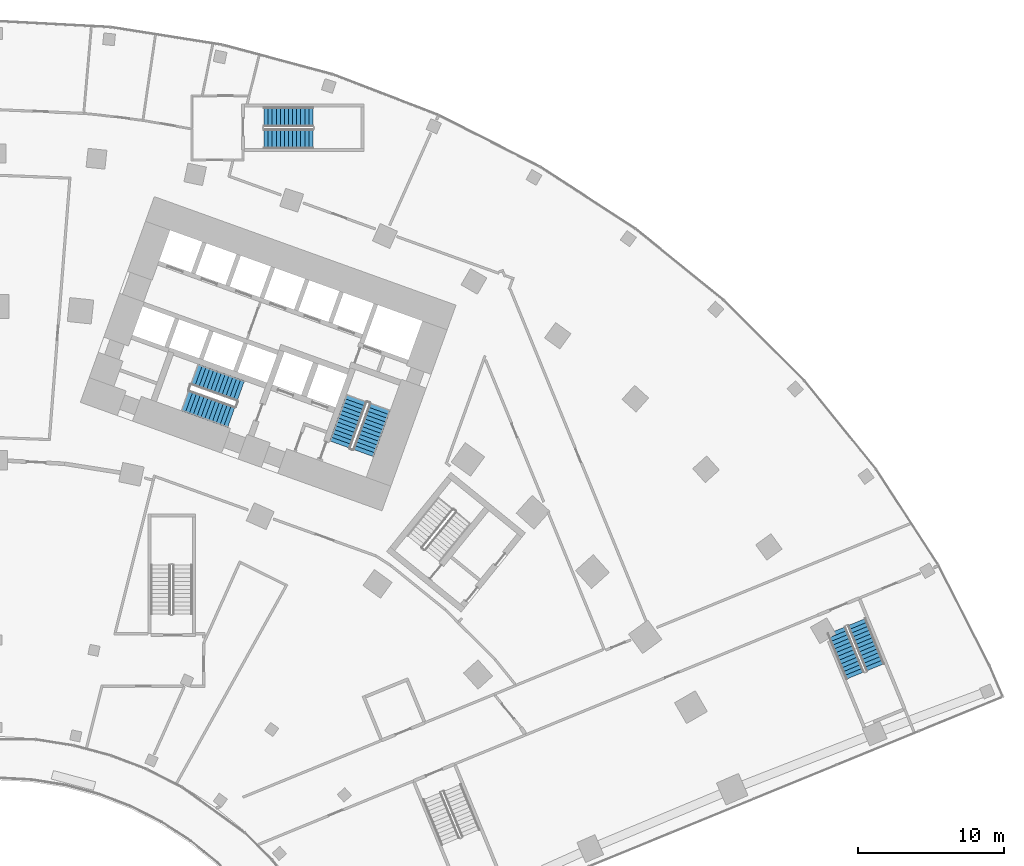
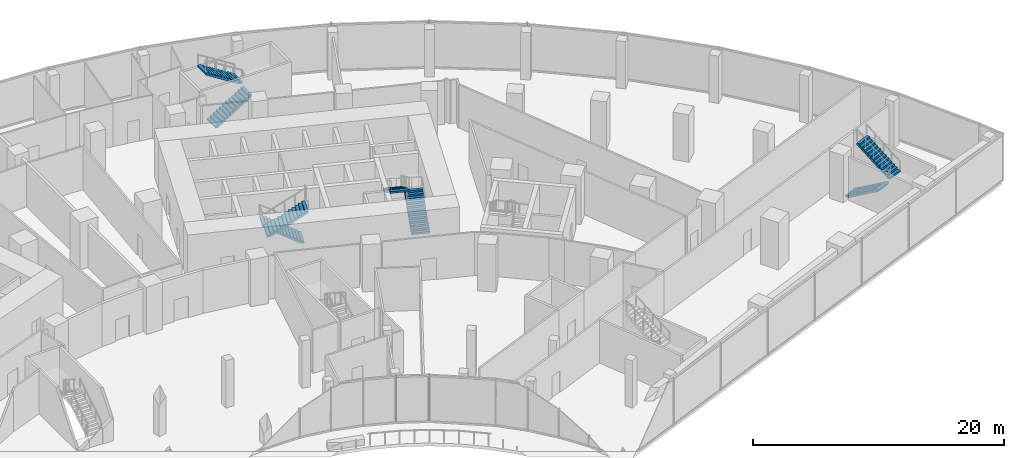
# One storey, part 31 of 39: 8 stair flights, 4 elements without a shape of their own.
"""IFC4 building model written with IfcOpenShell, lengths in metres."""

from ifc_helpers import new_model, si_unit, direction, frame, origin, place, context, subcontext, project, spatial, polyline, outline, extrude, material, layer, layer_set, type_object, element, aggregate, save


model = new_model("IFC4")

# Units and contexts
model_context = context("Model", 3, precision=1e-05, world=origin(), true_north=direction((0.0, 1.0)))
body_context = subcontext(model_context, "Body", "Model", "MODEL_VIEW")
ifc_project = project(units=[si_unit("LENGTHUNIT", "METRE"), si_unit("AREAUNIT", "SQUARE_METRE"), si_unit("VOLUMEUNIT", "CUBIC_METRE"), si_unit("PLANEANGLEUNIT", "RADIAN"), si_unit("MASSUNIT", "GRAM", prefix="KILO")], contexts=[model_context])

# Site, building, storey
site_placement = place(None, origin())
site = spatial("IfcSite", under=ifc_project, at=site_placement, CompositionType="ELEMENT")
building_placement = place(site_placement, origin())
building = spatial("IfcBuilding", under=site, at=building_placement, Name="Stone Belt Terrace Tower", CompositionType="ELEMENT")
storey_placement = place(building_placement, frame((0.0, 0.0, 16.199951171875)))
storey = spatial("IfcBuildingStorey", under=building, at=storey_placement, Name="L03", CompositionType="ELEMENT", Elevation=16.199951171875)

# Stair, stair flights
ifc_material_1 = material(Name="Concrete B30", Category="concrete")
stair_type_1 = type_object("IfcStairType", Name="Podium stair concrete B30", PredefinedType="HALF_TURN_STAIR", material=ifc_material_1)
stair_1_placement = place(storey_placement, origin())
stair_1 = element("IfcStair", 1, at=stair_1_placement, inside=storey, type_object=stair_type_1, Name="L03 podium exit stair 4", PredefinedType="HALF_TURN_STAIR")
ifc_layer = layer(ifc_material_1, 0.14990234375)
ifc_layer_set = layer_set([ifc_layer], Name="Podium stair flight concrete B30")
stair_flight_type_1 = type_object("IfcStairFlightType", Name="Podium stair flight concrete B30", PredefinedType="STRAIGHT", material=ifc_layer_set)
stair_flight_1_placement = place(storey_placement, frame((57.6259765625, 32.7724609375, 0.0), z_axis=(0.0, 0.0, 1.0), x_axis=(0.37924309334, -0.925297074541, 0.0)))
stair_flight_1 = element("IfcStairFlight", 2, at=stair_flight_1_placement, type_object=stair_flight_type_1, Name="PS4 flight 1", NumberOfRisers=13, NumberOfTreads=12, PredefinedType="STRAIGHT", RiserHeight=0.176923077, TreadLength=0.28, context=body_context, shape_type="SweptSolid", body=[
    extrude(outline(polyline([(0.0, 0.0), (0.0, 0.177001953125), (0.280029296875, 0.177001953125), (0.280029296875, 0.353759765625), (0.56005859375, 0.353759765625), (0.56005859375, 0.53076171875), (0.840087890625, 0.53076171875), (0.840087890625, 0.707763671875), (1.1201171875, 0.707763671875), (1.1201171875, 0.884521484375), (1.39990234375, 0.884521484375), (1.39990234375, 1.0615234375), (1.679931640625, 1.0615234375), (1.679931640625, 1.238525390625), (1.9599609375, 1.238525390625), (1.9599609375, 1.415283203125), (2.239990234375, 1.415283203125), (2.239990234375, 1.59228515625), (2.52001953125, 1.59228515625), (2.52001953125, 1.769287109375), (2.800048828125, 1.769287109375), (2.800048828125, 1.946044921875), (3.080078125, 1.946044921875), (3.080078125, 2.123046875), (3.360107421875, 2.123046875), (3.360107421875, 2.300048828125), (3.360107421875, 1.94580078125), (0.280517578125, 0.0), (0.0, 0.0)])), frame((0.0, 0.675048828125, 0.0), z_axis=(0.0, -1.0, 0.0), x_axis=(1.0, 0.0, 0.0)), (0.0, 0.0, 1.0), 1.35009765625),
])
stair_flight_2_placement = place(storey_placement, frame((60.288330078125, 30.232421875, 2.300048828125), z_axis=(0.0, 0.0, 1.0), x_axis=(-0.37924309334, 0.925297074541, 0.0)))
stair_flight_2 = element("IfcStairFlight", 3, at=stair_flight_2_placement, type_object=stair_flight_type_1, Name="PS4 flight 2", NumberOfRisers=13, NumberOfTreads=12, PredefinedType="STRAIGHT", RiserHeight=0.176923077, TreadLength=0.28, context=body_context, shape_type="SweptSolid", body=[
    extrude(outline(polyline([(0.0, 0.0), (0.0, 0.177001953125), (0.280029296875, 0.177001953125), (0.280029296875, 0.353759765625), (0.56005859375, 0.353759765625), (0.56005859375, 0.53076171875), (0.840087890625, 0.53076171875), (0.840087890625, 0.707763671875), (1.1201171875, 0.707763671875), (1.1201171875, 0.884521484375), (1.39990234375, 0.884521484375), (1.39990234375, 1.0615234375), (1.679931640625, 1.0615234375), (1.679931640625, 1.238525390625), (1.9599609375, 1.238525390625), (1.9599609375, 1.415283203125), (2.239990234375, 1.415283203125), (2.239990234375, 1.59228515625), (2.52001953125, 1.59228515625), (2.52001953125, 1.769287109375), (2.800048828125, 1.769287109375), (2.800048828125, 1.946044921875), (3.080078125, 1.946044921875), (3.080078125, 2.123046875), (3.360107421875, 2.123046875), (3.360107421875, 2.300048828125), (3.360107421875, 1.94580078125), (0.280517578125, 0.0), (0.0, 0.0)])), frame((0.0, 0.675048828125, 0.0), z_axis=(0.0, -1.0, 0.0), x_axis=(1.0, 0.0, 0.0)), (0.0, 0.0, 1.0), 1.35009765625),
])
aggregate(stair_1, [stair_flight_1, stair_flight_2])

stair_2_placement = place(storey_placement, origin())
stair_2 = element("IfcStair", 4, at=stair_2_placement, inside=storey, type_object=stair_type_1, Name="L03 podium exit stair 8", PredefinedType="HALF_TURN_STAIR")
stair_flight_3_placement = place(storey_placement, frame((18.340087890625, 66.5, 0.0), z_axis=(0.0, 0.0, 1.0), x_axis=(1.0, 0.0, 0.0)))
stair_flight_3 = element("IfcStairFlight", 5, at=stair_flight_3_placement, type_object=stair_flight_type_1, Name="PS8 flight 1", NumberOfRisers=13, NumberOfTreads=12, PredefinedType="STRAIGHT", RiserHeight=0.176923077, TreadLength=0.28, context=body_context, shape_type="SweptSolid", body=[
    extrude(outline(polyline([(0.0, 0.0), (0.0, 0.177001953125), (0.280029296875, 0.177001953125), (0.280029296875, 0.353759765625), (0.56005859375, 0.353759765625), (0.56005859375, 0.53076171875), (0.840087890625, 0.53076171875), (0.840087890625, 0.707763671875), (1.1201171875, 0.707763671875), (1.1201171875, 0.884521484375), (1.39990234375, 0.884521484375), (1.39990234375, 1.0615234375), (1.679931640625, 1.0615234375), (1.679931640625, 1.238525390625), (1.9599609375, 1.238525390625), (1.9599609375, 1.415283203125), (2.239990234375, 1.415283203125), (2.239990234375, 1.59228515625), (2.52001953125, 1.59228515625), (2.52001953125, 1.769287109375), (2.800048828125, 1.769287109375), (2.800048828125, 1.946044921875), (3.080078125, 1.946044921875), (3.080078125, 2.123046875), (3.360107421875, 2.123046875), (3.360107421875, 2.300048828125), (3.360107421875, 1.94580078125), (0.280517578125, 0.0), (0.0, 0.0)])), frame((0.0, 0.675048828125, 0.0), z_axis=(0.0, -1.0, 0.0), x_axis=(1.0, 0.0, 0.0)), (0.0, 0.0, 1.0), 1.35009765625),
])
stair_flight_4_placement = place(storey_placement, frame((21.699951171875, 68.0, 2.300048828125), z_axis=(0.0, 0.0, 1.0), x_axis=(-1.0, 0.0, 0.0)))
stair_flight_4 = element("IfcStairFlight", 6, at=stair_flight_4_placement, type_object=stair_flight_type_1, Name="PS8 flight 2", NumberOfRisers=13, NumberOfTreads=12, PredefinedType="STRAIGHT", RiserHeight=0.176923077, TreadLength=0.28, context=body_context, shape_type="SweptSolid", body=[
    extrude(outline(polyline([(0.0, 0.0), (0.0, 0.177001953125), (0.280029296875, 0.177001953125), (0.280029296875, 0.353759765625), (0.56005859375, 0.353759765625), (0.56005859375, 0.53076171875), (0.840087890625, 0.53076171875), (0.840087890625, 0.707763671875), (1.1201171875, 0.707763671875), (1.1201171875, 0.884521484375), (1.39990234375, 0.884521484375), (1.39990234375, 1.0615234375), (1.679931640625, 1.0615234375), (1.679931640625, 1.238525390625), (1.9599609375, 1.238525390625), (1.9599609375, 1.415283203125), (2.239990234375, 1.415283203125), (2.239990234375, 1.59228515625), (2.52001953125, 1.59228515625), (2.52001953125, 1.769287109375), (2.800048828125, 1.769287109375), (2.800048828125, 1.946044921875), (3.080078125, 1.946044921875), (3.080078125, 2.123046875), (3.360107421875, 2.123046875), (3.360107421875, 2.300048828125), (3.360107421875, 1.94580078125), (0.280517578125, 0.0), (0.0, 0.0)])), frame((0.0, 0.675048828125, 0.0), z_axis=(0.0, -1.0, 0.0), x_axis=(1.0, 0.0, 0.0)), (0.0, 0.0, 1.0), 1.35009765625),
])
aggregate(stair_2, [stair_flight_3, stair_flight_4])

ifc_material_2 = material(Name="Concrete B40", Category="concrete")
stair_type_2 = type_object("IfcStairType", Name="Exit stair 1500", PredefinedType="HALF_TURN_STAIR", material=ifc_material_2)
stair_3_placement = place(storey_placement, origin())
stair_3 = element("IfcStair", 7, at=stair_3_placement, inside=storey, type_object=stair_type_2, Name="L03 Exit stair 1 core B", PredefinedType="HALF_TURN_STAIR")
stair_flight_type_2 = type_object("IfcStairFlightType", Name="Stair flight 1500", PredefinedType="STRAIGHT", material=ifc_material_2)
stair_flight_5_placement = place(storey_placement, frame((25.15283203125, 44.9375, 0.0), z_axis=(0.0, 0.0, 1.0), x_axis=(0.338624396177, 0.940921632398, 0.0)))
stair_flight_5 = element("IfcStairFlight", 8, at=stair_flight_5_placement, type_object=stair_flight_type_2, Name="ST1B flight 1", NumberOfRisers=13, NumberOfTreads=12, PredefinedType="STRAIGHT", RiserHeight=0.176923077, TreadLength=0.28, context=body_context, shape_type="SweptSolid", body=[
    extrude(outline(polyline([(0.0, 0.0), (0.0, 0.177001953125), (0.280029296875, 0.177001953125), (0.280029296875, 0.353759765625), (0.56005859375, 0.353759765625), (0.56005859375, 0.53076171875), (0.840087890625, 0.53076171875), (0.840087890625, 0.707763671875), (1.1201171875, 0.707763671875), (1.1201171875, 0.884521484375), (1.39990234375, 0.884521484375), (1.39990234375, 1.0615234375), (1.679931640625, 1.0615234375), (1.679931640625, 1.238525390625), (1.9599609375, 1.238525390625), (1.9599609375, 1.415283203125), (2.239990234375, 1.415283203125), (2.239990234375, 1.59228515625), (2.52001953125, 1.59228515625), (2.52001953125, 1.769287109375), (2.800048828125, 1.769287109375), (2.800048828125, 1.946044921875), (3.080078125, 1.946044921875), (3.080078125, 2.123046875), (3.360107421875, 2.123046875), (3.360107421875, 2.300048828125), (3.360107421875, 1.94580078125), (0.280517578125, 0.0), (0.0, 0.0)])), frame((0.0, 0.75, 0.0), z_axis=(0.0, -1.0, 0.0), x_axis=(1.0, 0.0, 0.0)), (0.0, 0.0, 1.0), 1.5),
])
stair_flight_6_placement = place(storey_placement, frame((24.691162109375, 48.674560546875, 2.300048828125), z_axis=(0.0, 0.0, 1.0), x_axis=(-0.338624396177, -0.940921632398, 0.0)))
stair_flight_6 = element("IfcStairFlight", 9, at=stair_flight_6_placement, type_object=stair_flight_type_2, Name="ST1B flight 2", NumberOfRisers=13, NumberOfTreads=12, PredefinedType="STRAIGHT", RiserHeight=0.176923077, TreadLength=0.28, context=body_context, shape_type="SweptSolid", body=[
    extrude(outline(polyline([(0.0, 0.0), (0.0, 0.177001953125), (0.280029296875, 0.177001953125), (0.280029296875, 0.353759765625), (0.56005859375, 0.353759765625), (0.56005859375, 0.53076171875), (0.840087890625, 0.53076171875), (0.840087890625, 0.707763671875), (1.1201171875, 0.707763671875), (1.1201171875, 0.884521484375), (1.39990234375, 0.884521484375), (1.39990234375, 1.0615234375), (1.679931640625, 1.0615234375), (1.679931640625, 1.238525390625), (1.9599609375, 1.238525390625), (1.9599609375, 1.415283203125), (2.239990234375, 1.415283203125), (2.239990234375, 1.59228515625), (2.52001953125, 1.59228515625), (2.52001953125, 1.769287109375), (2.800048828125, 1.769287109375), (2.800048828125, 1.946044921875), (3.080078125, 1.946044921875), (3.080078125, 2.123046875), (3.360107421875, 2.123046875), (3.360107421875, 2.300048828125), (3.360107421875, 1.94580078125), (0.280517578125, 0.0), (0.0, 0.0)])), frame((0.0, 0.75, 0.0), z_axis=(0.0, -1.0, 0.0), x_axis=(1.0, 0.0, 0.0)), (0.0, 0.0, 1.0), 1.5),
])
aggregate(stair_3, [stair_flight_5, stair_flight_6])

stair_4_placement = place(storey_placement, origin())
stair_4 = element("IfcStair", 10, at=stair_4_placement, inside=storey, type_object=stair_type_2, Name="L03 Exit stair 2 core B", PredefinedType="HALF_TURN_STAIR")
stair_flight_7_placement = place(storey_placement, frame((16.74462890625, 49.185546875, 0.0), z_axis=(0.0, 0.0, 1.0), x_axis=(-0.940921632398, 0.338624396177, 0.0)))
stair_flight_7 = element("IfcStairFlight", 11, at=stair_flight_7_placement, type_object=stair_flight_type_2, Name="ST2B flight 1", NumberOfRisers=13, NumberOfTreads=12, PredefinedType="STRAIGHT", RiserHeight=0.176923077, TreadLength=0.28, context=body_context, shape_type="SweptSolid", body=[
    extrude(outline(polyline([(0.0, 0.0), (0.0, 0.177001953125), (0.280029296875, 0.177001953125), (0.280029296875, 0.353759765625), (0.56005859375, 0.353759765625), (0.56005859375, 0.53076171875), (0.840087890625, 0.53076171875), (0.840087890625, 0.707763671875), (1.1201171875, 0.707763671875), (1.1201171875, 0.884521484375), (1.39990234375, 0.884521484375), (1.39990234375, 1.0615234375), (1.679931640625, 1.0615234375), (1.679931640625, 1.238525390625), (1.9599609375, 1.238525390625), (1.9599609375, 1.415283203125), (2.239990234375, 1.415283203125), (2.239990234375, 1.59228515625), (2.52001953125, 1.59228515625), (2.52001953125, 1.769287109375), (2.800048828125, 1.769287109375), (2.800048828125, 1.946044921875), (3.080078125, 1.946044921875), (3.080078125, 2.123046875), (3.360107421875, 2.123046875), (3.360107421875, 2.300048828125), (3.360107421875, 1.94580078125), (0.280517578125, 0.0), (0.0, 0.0)])), frame((0.0, 0.75, 0.0), z_axis=(0.0, -1.0, 0.0), x_axis=(1.0, 0.0, 0.0)), (0.0, 0.0, 1.0), 1.5),
])
stair_flight_8_placement = place(storey_placement, frame((12.93994140625, 48.53564453125, 2.300048828125), z_axis=(0.0, 0.0, 1.0), x_axis=(0.940921632398, -0.338624396177, 0.0)))
stair_flight_8 = element("IfcStairFlight", 12, at=stair_flight_8_placement, type_object=stair_flight_type_2, Name="ST2B flight 2", NumberOfRisers=13, NumberOfTreads=12, PredefinedType="STRAIGHT", RiserHeight=0.176923077, TreadLength=0.28, context=body_context, shape_type="SweptSolid", body=[
    extrude(outline(polyline([(0.0, 0.0), (0.0, 0.177001953125), (0.280029296875, 0.177001953125), (0.280029296875, 0.353759765625), (0.56005859375, 0.353759765625), (0.56005859375, 0.53076171875), (0.840087890625, 0.53076171875), (0.840087890625, 0.707763671875), (1.1201171875, 0.707763671875), (1.1201171875, 0.884521484375), (1.39990234375, 0.884521484375), (1.39990234375, 1.0615234375), (1.679931640625, 1.0615234375), (1.679931640625, 1.238525390625), (1.9599609375, 1.238525390625), (1.9599609375, 1.415283203125), (2.239990234375, 1.415283203125), (2.239990234375, 1.59228515625), (2.52001953125, 1.59228515625), (2.52001953125, 1.769287109375), (2.800048828125, 1.769287109375), (2.800048828125, 1.946044921875), (3.080078125, 1.946044921875), (3.080078125, 2.123046875), (3.360107421875, 2.123046875), (3.360107421875, 2.300048828125), (3.360107421875, 1.94580078125), (0.280517578125, 0.0), (0.0, 0.0)])), frame((0.0, 0.75, 0.0), z_axis=(0.0, -1.0, 0.0), x_axis=(1.0, 0.0, 0.0)), (0.0, 0.0, 1.0), 1.5),
])
aggregate(stair_4, [stair_flight_7, stair_flight_8])

save(model, "model.ifc")
